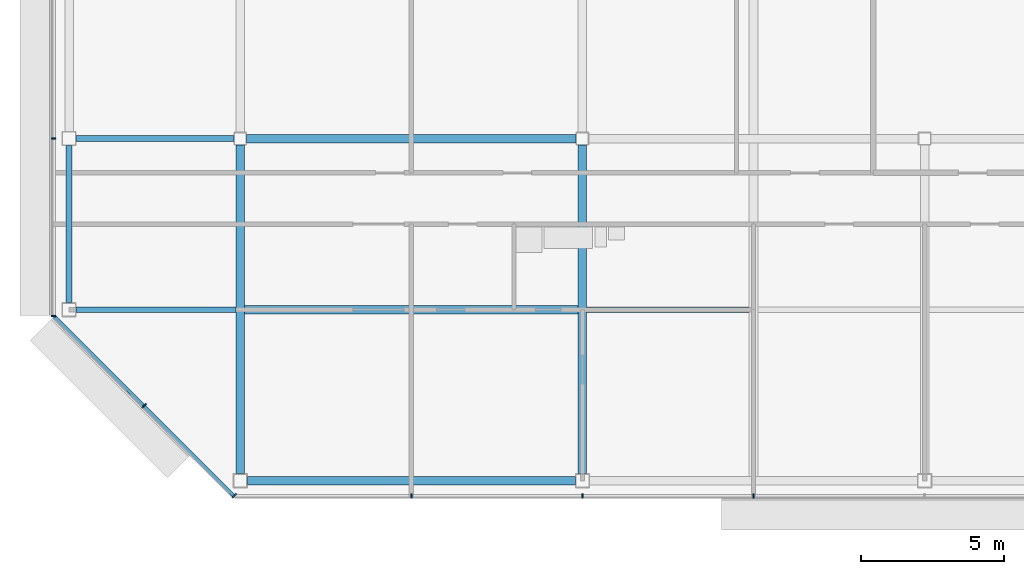
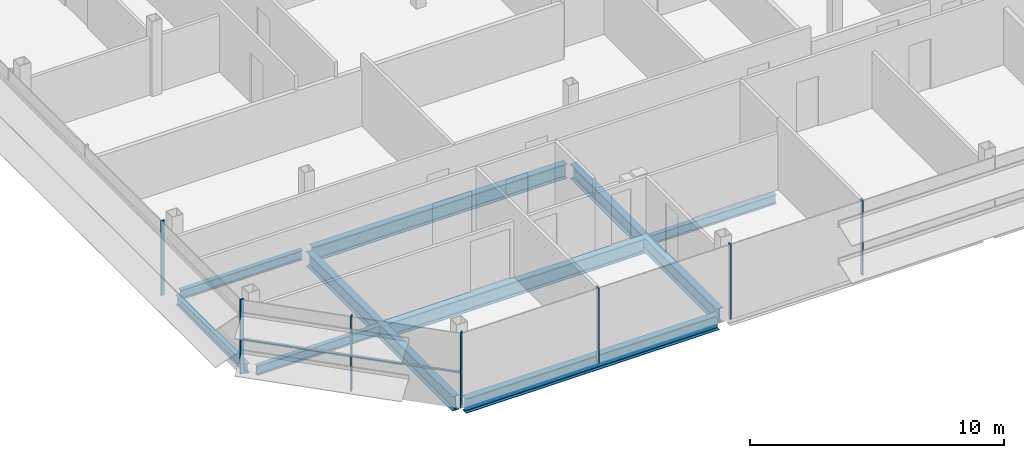
# One storey, part 4 of 27: 9 beams, 8 members, 3 elements without a shape of their own.
"""IFC4 building model written with IfcOpenShell, lengths in metres."""

from ifc_helpers import new_model, si_unit, direction, frame, origin, origin_2d, place, context, subcontext, project, spatial, rectangle, i_section, extrude, material, material_profile, profile_set, type_object, element, aggregate, save


model = new_model("IFC4")

# Units and contexts
model_context = context("Model", 3, precision=1e-05, world=origin(), true_north=direction((0.0, 1.0)))
body_context = subcontext(model_context, "Body", "Model", "MODEL_VIEW")
ifc_project = project(units=[si_unit("LENGTHUNIT", "METRE"), si_unit("AREAUNIT", "SQUARE_METRE"), si_unit("VOLUMEUNIT", "CUBIC_METRE"), si_unit("PLANEANGLEUNIT", "RADIAN"), si_unit("MASSUNIT", "GRAM", prefix="KILO")], contexts=[model_context])

# Site, building, storey
site_placement = place(None, origin())
site = spatial("IfcSite", under=ifc_project, at=site_placement, CompositionType="ELEMENT")
building_placement = place(site_placement, origin())
building = spatial("IfcBuilding", under=site, at=building_placement, Name="Sorahane Residences", CompositionType="ELEMENT")
storey_placement = place(building_placement, frame((0.0, 0.0, 316.0)))
storey = spatial("IfcBuildingStorey", under=building, at=storey_placement, Name="L75", CompositionType="ELEMENT", Elevation=316.0)

# Curtain wall, members
ifc_material_1 = material(Name="Dark low-e glass and black anodised aluminium", Category="aluminium")
curtain_wall_type_1 = type_object("IfcCurtainWallType", Name="Curtain wall CW-1 Typical unitised wall", PredefinedType="NOTDEFINED", material=ifc_material_1)
curtain_wall_1_placement = place(storey_placement, origin())
curtain_wall_1 = element("IfcCurtainWall", 1, at=curtain_wall_1_placement, inside=storey, type_object=curtain_wall_type_1, Name="CW-1 curtain wall L75 S1", PredefinedType="NOTDEFINED")
ifc_material_2 = material(Name="Black anodised aluminium", Category="aluminium")
ifc_material_profile_1 = material_profile(ifc_material_2, rectangle(XDim=0.159912109375, YDim=0.050048828125, at=origin_2d()), Name="Curtain wall mullion CW-1 black anodised aluminium 50x160")
ifc_profile_set_1 = profile_set([ifc_material_profile_1], Name="Black anodised aluminium")
member_type_1 = type_object("IfcMemberType", Name="Curtain wall mullion CW-1 black anodised aluminium 50x160", PredefinedType="MULLION", material=ifc_profile_set_1)
member_1_placement = place(storey_placement, frame((-6.0, -0.5400390625, -0.179931640625), z_axis=(0.0, 0.0, 1.0), x_axis=(0.0, -1.0, 0.0)))
member_1 = element("IfcMember", 2, at=member_1_placement, type_object=member_type_1, Name="CW-1 mullion L75 S1.2", PredefinedType="MULLION", context=body_context, shape_type="SweptSolid", body=[
    extrude(rectangle(XDim=0.159912109375, YDim=0.050048828125, at=origin_2d()), origin(), (0.0, 0.0, 1.0), 3.599853515625),
])
member_2_placement = place(storey_placement, frame((0.0, -0.5400390625, -0.179931640625), z_axis=(0.0, 0.0, 1.0), x_axis=(0.0, -1.0, 0.0)))
member_2 = element("IfcMember", 3, at=member_2_placement, type_object=member_type_1, Name="CW-1 mullion L75 S1.3", PredefinedType="MULLION", context=body_context, shape_type="SweptSolid", body=[
    extrude(rectangle(XDim=0.159912109375, YDim=0.050048828125, at=origin_2d()), origin(), (0.0, 0.0, 1.0), 3.599853515625),
])
member_3_placement = place(storey_placement, frame((6.0, -0.5400390625, -0.179931640625), z_axis=(0.0, 0.0, 1.0), x_axis=(0.0, -1.0, 0.0)))
member_3 = element("IfcMember", 4, at=member_3_placement, type_object=member_type_1, Name="CW-1 mullion L75 S1.4", PredefinedType="MULLION", context=body_context, shape_type="SweptSolid", body=[
    extrude(rectangle(XDim=0.159912109375, YDim=0.050048828125, at=origin_2d()), origin(), (0.0, 0.0, 1.0), 3.599853515625),
])
aggregate(curtain_wall_1, [member_1, member_2, member_3])

curtain_wall_2_placement = place(storey_placement, origin())
curtain_wall_2 = element("IfcCurtainWall", 5, at=curtain_wall_2_placement, inside=storey, type_object=curtain_wall_type_1, Name="CW-1 curtain wall L75 W1", PredefinedType="NOTDEFINED")
member_4_placement = place(storey_placement, frame((-18.5400390625, 12.0, -0.179931640625), z_axis=(0.0, 0.0, 1.0), x_axis=(-1.0, 0.0, 0.0)))
member_4 = element("IfcMember", 6, at=member_4_placement, type_object=member_type_1, Name="CW-1 mullion L75 W1.6", PredefinedType="MULLION", context=body_context, shape_type="SweptSolid", body=[
    extrude(rectangle(XDim=0.159912109375, YDim=0.050048828125, at=origin_2d()), origin(), (0.0, 0.0, 1.0), 3.599853515625),
])
member_5_placement = place(storey_placement, frame((-18.5400390625, 5.7763671875, -0.179931640625), z_axis=(0.0, 0.0, 1.0), x_axis=(-1.0, 0.0, 0.0)))
member_5 = element("IfcMember", 7, at=member_5_placement, type_object=member_type_1, Name="CW-1 mullion L75 W1.7", PredefinedType="MULLION", context=body_context, shape_type="SweptSolid", body=[
    extrude(rectangle(XDim=0.159912109375, YDim=0.050048828125, at=origin_2d()), origin(), (0.0, 0.0, 1.0), 3.599853515625),
])
aggregate(curtain_wall_2, [member_4, member_5])

ifc_material_3 = material(Name="Dark low-e glass and black anodised aluminium", Category="aluminium")
curtain_wall_type_2 = type_object("IfcCurtainWallType", Name="Curtain wall CW-2 Chamfer unitised wall", PredefinedType="NOTDEFINED", material=ifc_material_3)
curtain_wall_3_placement = place(storey_placement, origin())
curtain_wall_3 = element("IfcCurtainWall", 8, at=curtain_wall_3_placement, inside=storey, type_object=curtain_wall_type_2, Name="CW-2 curtain wall L75 SW1", PredefinedType="NOTDEFINED")
ifc_material_4 = material(Name="Black anodised aluminium", Category="aluminium")
ifc_material_profile_2 = material_profile(ifc_material_4, rectangle(XDim=0.199951171875, YDim=0.050048828125, at=origin_2d()), Name="Curtain wall mullion CW-2 black anodised aluminium 50x200")
ifc_profile_set_2 = profile_set([ifc_material_profile_2], Name="Black anodised aluminium")
member_type_2 = type_object("IfcMemberType", Name="Curtain wall mullion CW-2 black anodised aluminium 50x200", PredefinedType="MULLION", material=ifc_profile_set_2)
member_6_placement = place(storey_placement, frame((-15.36767578125, 2.63232421875, -0.179931640625), z_axis=(0.0, 0.0, 1.0), x_axis=(-0.707106781187, -0.707106781187, 0.0)))
member_6 = element("IfcMember", 9, at=member_6_placement, type_object=member_type_2, Name="CW-2 mullion L75 SW1.2", PredefinedType="MULLION", context=body_context, shape_type="SweptSolid", body=[
    extrude(rectangle(XDim=0.199951171875, YDim=0.050048828125, at=origin_2d()), origin(), (0.0, 0.0, 1.0), 3.599853515625),
])
member_7_placement = place(storey_placement, frame((-12.209716796875, -0.525634765625, -0.179931640625), z_axis=(0.0, 0.0, 1.0), x_axis=(-0.707106781187, -0.707106781187, 0.0)))
member_7 = element("IfcMember", 10, at=member_7_placement, type_object=member_type_2, Name="CW-2 mullion L75 SW1.3", PredefinedType="MULLION", context=body_context, shape_type="SweptSolid", body=[
    extrude(rectangle(XDim=0.199951171875, YDim=0.050048828125, at=origin_2d()), origin(), (0.0, 0.0, 1.0), 3.599853515625),
])
ifc_material_5 = material(Name="Black anodised aluminium", Category="aluminium")
ifc_material_profile_3 = material_profile(ifc_material_5, rectangle(XDim=0.10009765625, YDim=0.06005859375, at=origin_2d()), Name="Curtain wall transom CW-2 black anodised aluminium 60x100")
ifc_profile_set_3 = profile_set([ifc_material_profile_3], Name="Black anodised aluminium")
member_type_3 = type_object("IfcMemberType", Name="Curtain wall transom CW-2 black anodised aluminium 60x100", PredefinedType="USERDEFINED", material=ifc_profile_set_3)
member_8_placement = place(storey_placement, frame((-18.51513671875, 5.765625, 1.5), z_axis=(0.707106781187, -0.707106781187, 0.0), x_axis=(0.707106781187, 0.707106781187, 0.0)))
member_8 = element("IfcMember", 11, at=member_8_placement, type_object=member_type_3, Name="CW-2 transom L75 SW1", ObjectType="TRANSOM", PredefinedType="USERDEFINED", context=body_context, shape_type="SweptSolid", body=[
    extrude(rectangle(XDim=0.10009765625, YDim=0.06005859375, at=origin_2d()), origin(), (0.0, 0.0, 1.0), 8.88232421875),
])
aggregate(curtain_wall_3, [member_6, member_7, member_8])

# Beams
ifc_material_6 = material(Name="Steel Q355B", Category="steel")
ifc_material_profile_4 = material_profile(ifc_material_6, i_section(OverallWidth=0.199951171875, OverallDepth=0.449951171875, WebThickness=0.009033203125, FlangeThickness=0.013916015625, FilletRadius=0.02001953125, at=origin_2d()), Name="HN 450x200x9x14")
ifc_profile_set_4 = profile_set([ifc_material_profile_4], Name="Steel Q355B")
beam_type_1 = type_object("IfcBeamType", Name="Steel floor beam HN 450x200x9x14 Q355B", PredefinedType="BEAM", material=ifc_profile_set_4)
beam_1_placement = place(storey_placement, frame((-17.75, 12.0, -0.405029296875), z_axis=(1.0, 0.0, 0.0), x_axis=(0.0, 1.0, 0.0)))
element("IfcBeam", 12, at=beam_1_placement, inside=storey, type_object=beam_type_1, Name="Beam L75 005", PredefinedType="BEAM", context=body_context, shape_type="SweptSolid", body=[
    extrude(i_section(OverallWidth=0.199951171875, OverallDepth=0.449951171875, WebThickness=0.009033203125, FlangeThickness=0.013916015625, FilletRadius=0.02001953125, at=origin_2d()), origin(), (0.0, 0.0, 1.0), 5.52490234375),
])
beam_2_placement = place(storey_placement, frame((-18.0, 6.25, -0.405029296875), z_axis=(0.0, 1.0, 0.0), x_axis=(-1.0, 0.0, 0.0)))
element("IfcBeam", 13, at=beam_2_placement, inside=storey, type_object=beam_type_1, Name="Beam L75 020", PredefinedType="BEAM", context=body_context, shape_type="SweptSolid", body=[
    extrude(i_section(OverallWidth=0.199951171875, OverallDepth=0.449951171875, WebThickness=0.009033203125, FlangeThickness=0.013916015625, FilletRadius=0.02001953125, at=origin_2d()), origin(), (0.0, 0.0, 1.0), 5.5),
])
beam_3_placement = place(storey_placement, frame((-17.75, 6.0, -0.405029296875), z_axis=(1.0, 0.0, 0.0), x_axis=(0.0, 1.0, 0.0)))
element("IfcBeam", 14, at=beam_3_placement, inside=storey, type_object=beam_type_1, Name="Beam L75 066", PredefinedType="BEAM", context=body_context, shape_type="SweptSolid", body=[
    extrude(i_section(OverallWidth=0.199951171875, OverallDepth=0.449951171875, WebThickness=0.009033203125, FlangeThickness=0.013916015625, FilletRadius=0.02001953125, at=origin_2d()), origin(), (0.0, 0.0, 1.0), 5.60009765625),
])
beam_4_placement = place(storey_placement, frame((0.14990234375, 6.0, -0.405029296875), z_axis=(1.0, 0.0, 0.0), x_axis=(0.0, 1.0, 0.0)))
element("IfcBeam", 15, at=beam_4_placement, inside=storey, type_object=beam_type_1, Name="Beam L75 068", PredefinedType="BEAM", context=body_context, shape_type="SweptSolid", body=[
    extrude(i_section(OverallWidth=0.199951171875, OverallDepth=0.449951171875, WebThickness=0.009033203125, FlangeThickness=0.013916015625, FilletRadius=0.02001953125, at=origin_2d()), origin(), (0.0, 0.0, 1.0), 5.7001953125),
])
ifc_material_7 = material(Name="Steel Q355B", Category="steel")
ifc_material_profile_5 = material_profile(ifc_material_7, i_section(OverallWidth=0.300048828125, OverallDepth=0.699951171875, WebThickness=0.012939453125, FlangeThickness=0.02392578125, FilletRadius=0.028076171875, at=origin_2d()), Name="HN 700x300x13x24")
ifc_profile_set_5 = profile_set([ifc_material_profile_5], Name="Steel Q355B")
beam_type_2 = type_object("IfcBeamType", Name="Steel floor beam HN 700x300x13x24 Q355B", PredefinedType="BEAM", material=ifc_profile_set_5)
beam_5_placement = place(storey_placement, frame((-11.75, 0.0, -0.530029296875), z_axis=(1.0, 0.0, 0.0), x_axis=(0.0, 1.0, 0.0)))
element("IfcBeam", 16, at=beam_5_placement, inside=storey, type_object=beam_type_2, Name="Beam L75 000", PredefinedType="BEAM", context=body_context, shape_type="SweptSolid", body=[
    extrude(i_section(OverallWidth=0.300048828125, OverallDepth=0.699951171875, WebThickness=0.012939453125, FlangeThickness=0.02392578125, FilletRadius=0.028076171875, at=origin_2d()), origin(), (0.0, 0.0, 1.0), 11.5),
])
beam_6_placement = place(storey_placement, frame((-11.77490234375, 12.0, -0.530029296875), z_axis=(1.0, 0.0, 0.0), x_axis=(0.0, 1.0, 0.0)))
element("IfcBeam", 17, at=beam_6_placement, inside=storey, type_object=beam_type_2, Name="Beam L75 006", PredefinedType="BEAM", context=body_context, shape_type="SweptSolid", body=[
    extrude(i_section(OverallWidth=0.300048828125, OverallDepth=0.699951171875, WebThickness=0.012939453125, FlangeThickness=0.02392578125, FilletRadius=0.028076171875, at=origin_2d()), origin(), (0.0, 0.0, 1.0), 11.5498046875),
])
for number, where, z_axis, x_axis, name in (
    (18, (-12.0, 0.25, -0.530029296875), (0.0, 1.0, 0.0), (-1.0, 0.0, 0.0), "Beam L75 024"),
    (19, (0.0, 0.25, -0.530029296875), (0.0, 1.0, 0.0), (-1.0, 0.0, 0.0), "Beam L75 028"),
):
    element("IfcBeam", number, at=place(storey_placement, frame(where, z_axis=z_axis, x_axis=x_axis)), inside=storey, type_object=beam_type_2, Name=name, PredefinedType="BEAM", context=body_context, shape_type="SweptSolid", body=[
        extrude(i_section(OverallWidth=0.300048828125, OverallDepth=0.699951171875, WebThickness=0.012939453125, FlangeThickness=0.02392578125, FilletRadius=0.028076171875, at=origin_2d()), origin(), (0.0, 0.0, 1.0), 11.52490234375),
    ])
beam_7_placement = place(storey_placement, frame((-11.85009765625, 6.0, -0.530029296875), z_axis=(1.0, 0.0, 0.0), x_axis=(0.0, 1.0, 0.0)))
element("IfcBeam", 20, at=beam_7_placement, inside=storey, type_object=beam_type_2, Name="Beam L75 067", PredefinedType="BEAM", context=body_context, shape_type="SweptSolid", body=[
    extrude(i_section(OverallWidth=0.300048828125, OverallDepth=0.699951171875, WebThickness=0.012939453125, FlangeThickness=0.02392578125, FilletRadius=0.028076171875, at=origin_2d()), origin(), (0.0, 0.0, 1.0), 11.7001953125),
])

save(model, "model.ifc")
